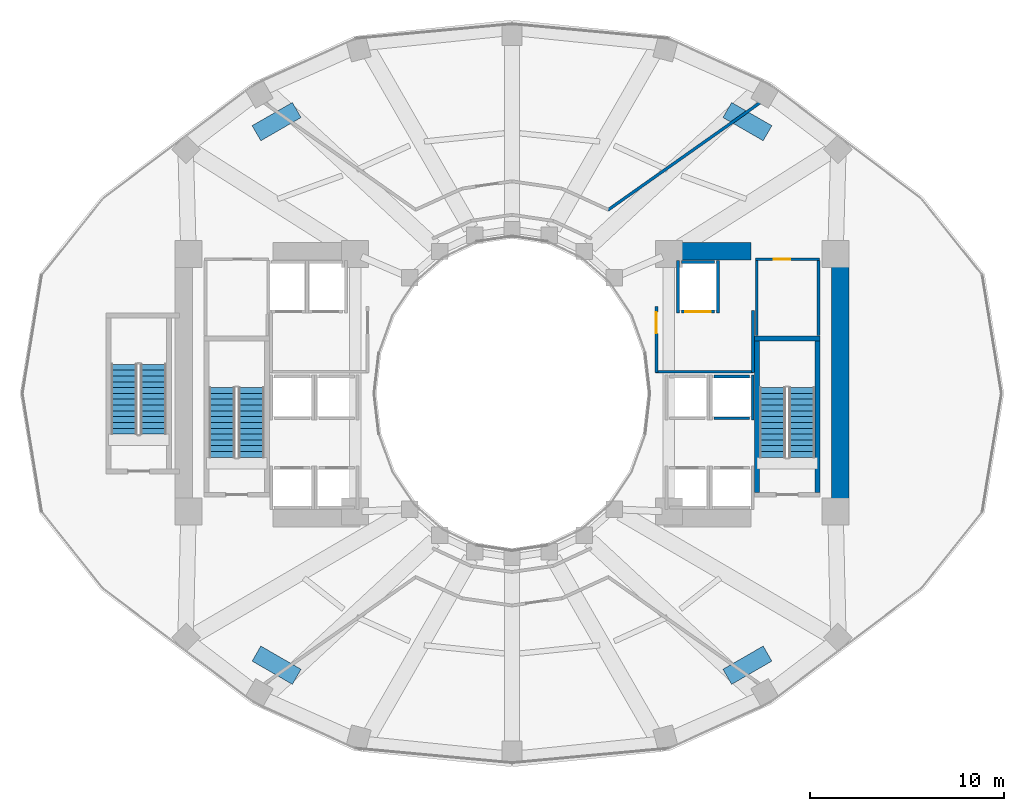
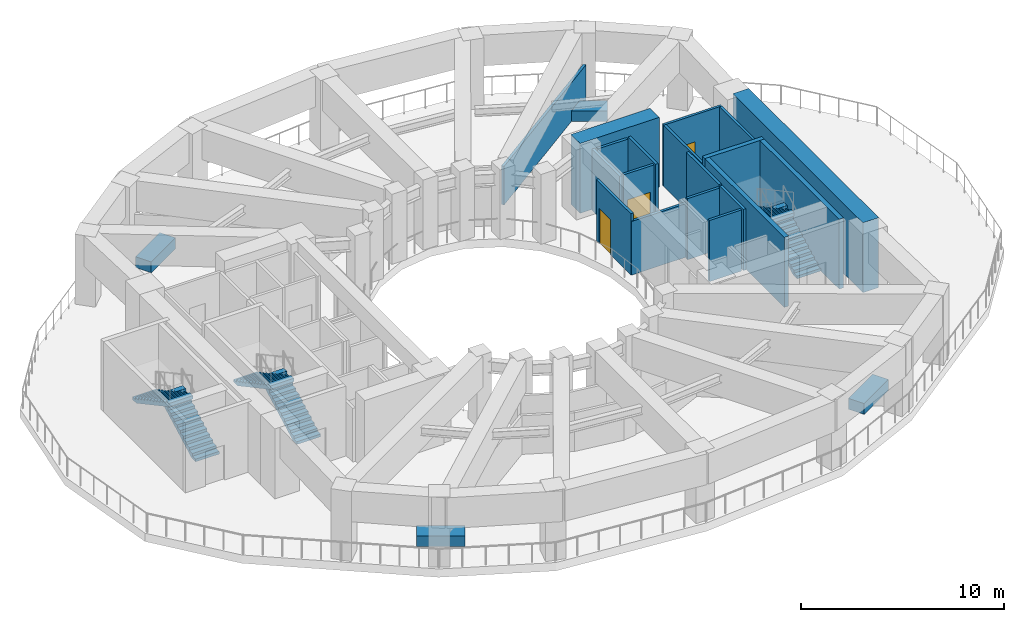
# One storey, part 4 of 10: 19 walls, 6 stair flights, 4 discrete accessories, 3 doors, 3 openings, 3 elements without a shape of their own.
"""IFC4 building model written with IfcOpenShell, lengths in metres."""

from ifc_helpers import new_model, si_unit, direction, frame, frame_2d, origin, origin_2d, place, context, subcontext, project, spatial, polyline, rectangle, outline, extrude, material, layer, layer_set, type_object, element, fill, aggregate, save


model = new_model("IFC4")

# Units and contexts
model_context = context("Model", 3, precision=1e-05, world=origin(), true_north=direction((0.0, 1.0)))
body_context = subcontext(model_context, "Body", "Model", "MODEL_VIEW")
ifc_project = project(units=[si_unit("LENGTHUNIT", "METRE"), si_unit("AREAUNIT", "SQUARE_METRE"), si_unit("VOLUMEUNIT", "CUBIC_METRE"), si_unit("PLANEANGLEUNIT", "RADIAN"), si_unit("MASSUNIT", "GRAM", prefix="KILO")], contexts=[model_context])

# Site, building, storey
site_placement = place(None, origin())
site = spatial("IfcSite", under=ifc_project, at=site_placement, CompositionType="ELEMENT")
building_placement = place(site_placement, origin())
building = spatial("IfcBuilding", under=site, at=building_placement, Name="Solvane Sanctuary Tower", CompositionType="ELEMENT")
storey_placement = place(building_placement, frame((0.0, 0.0, 69.0)))
storey = spatial("IfcBuildingStorey", under=building, at=storey_placement, Name="L20", CompositionType="ELEMENT", Elevation=69.0)

# Walls
ifc_material_1 = material(Name="Concrete C70/85", Category="concrete")
ifc_layer_1 = layer(ifc_material_1, 0.89990234375, Name="Concrete C70/85")
ifc_layer_set_1 = layer_set([ifc_layer_1], Name="Concrete C70/85")
wall_type_1 = type_object("IfcWallType", Name="Wall W-CORE-900", PredefinedType="SHEAR", material=ifc_layer_set_1)
wall_1_placement = place(storey_placement, frame((48.949951171875, 17.050048828125, 0.0), z_axis=(0.0, 0.0, 1.0), x_axis=(0.0, 1.0, 0.0)))
element("IfcWall", 1, at=wall_1_placement, inside=storey, type_object=wall_type_1, Name="L20 Core Shear Wall EC-E", PredefinedType="SHEAR", context=body_context, shape_type="SweptSolid", body=[
    extrude(rectangle(XDim=12.800048828125, YDim=0.89990234375, at=frame_2d((6.39990234375, 0.0))), origin(), (0.0, 0.0, 1.0), 4.199951171875),
])
wall_2_placement = place(storey_placement, frame((39.85009765625, 30.35009765625, 0.0), z_axis=(0.0, 0.0, 1.0), x_axis=(1.0, 0.0, 0.0)))
element("IfcWall", 2, at=wall_2_placement, inside=storey, type_object=wall_type_1, Name="L20 Core Shear Wall EC-N", PredefinedType="SHEAR", context=body_context, shape_type="SweptSolid", body=[
    extrude(rectangle(XDim=4.5, YDim=0.89990234375, at=frame_2d((2.25, 0.0))), origin(), (0.0, 0.0, 1.0), 4.199951171875),
])
ifc_material_2 = material(Name="Acoustic Gypsum Partition Board")
ifc_layer_2 = layer(ifc_material_2, 0.14990234375, Name="Acoustic Gypsum Partition Board")
ifc_layer_set_2 = layer_set([ifc_layer_2], Name="Acoustic Gypsum Partition Board")
wall_type_2 = type_object("IfcWallType", Name="Wall W-CORR-150", PredefinedType="PARTITIONING", material=ifc_layer_set_2)
wall_3_placement = place(storey_placement, frame((39.39990234375, 24.1201171875, 0.0), z_axis=(0.0, 0.0, 1.0), x_axis=(1.0, 0.0, 0.0)))
element("IfcWall", 3, at=wall_3_placement, inside=storey, type_object=wall_type_2, Name="L20 East Firefighting Lobby South Wall", PredefinedType="PARTITIONING", context=body_context, shape_type="SweptSolid", body=[
    extrude(rectangle(XDim=5.080078125, YDim=0.14990234375, at=frame_2d((2.5400390625, 0.0))), origin(), (0.0, 0.0, 1.0), 3.219970703125),
])
wall_4_placement = place(storey_placement, frame((44.449951171875, 24.080078125, 0.0), z_axis=(0.0, 0.0, 1.0), x_axis=(0.0, 1.0, 0.0)))
element("IfcWall", 4, at=wall_4_placement, inside=storey, type_object=wall_type_2, Name="L20 East Firefighting Lobby East Wall", PredefinedType="PARTITIONING", context=body_context, shape_type="SweptSolid", body=[
    extrude(rectangle(XDim=3.199951171875, YDim=0.14990234375, at=frame_2d((1.60009765625, 0.0))), origin(), (0.0, 0.0, 1.0), 3.675048828125),
])

# Wall, opening, door
wall_5_placement = place(storey_placement, frame((39.449951171875, 24.080078125, 0.0), z_axis=(0.0, 0.0, 1.0), x_axis=(0.0, 1.0, 0.0)))
wall_5 = element("IfcWall", 5, at=wall_5_placement, inside=storey, type_object=wall_type_2, Name="L20 East Firefighting Lobby West Wall", PredefinedType="PARTITIONING", context=body_context, shape_type="SweptSolid", body=[
    extrude(rectangle(XDim=3.39990234375, YDim=0.14990234375, at=frame_2d((1.699951171875, 0.0))), origin(), (0.0, 0.0, 1.0), 3.675048828125),
])
opening_1_placement = place(wall_5_placement, frame((2.02001953125, 0.0, 0.0)))
opening_1 = element("IfcOpeningElement", 6, at=opening_1_placement, cuts=wall_5, Name="Opening D-L20-05", PredefinedType="OPENING", context=body_context, shape_type="SweptSolid", body=[
    extrude(rectangle(XDim=1.10009765625, YDim=2.10009765625, at=frame_2d((0.550048828125, 1.050048828125))), frame((0.0, 0.0849609375, 0.0), z_axis=(0.0, -1.0, 0.0), x_axis=(1.0, 0.0, 0.0)), (0.0, 0.0, 1.0), 0.169921875),
])
ifc_material_3 = material(Name="Architectural Stainless Steel 316", Category="steel")
door_type_1 = type_object("IfcDoorType", Name="Door D-FFL", OperationType="NOTDEFINED", PredefinedType="DOOR", material=ifc_material_3)
door_1_placement = place(opening_1_placement, origin())
door_1 = element("IfcDoor", 7, at=door_1_placement, inside=storey, type_object=door_type_1, Name="L20 East Firefighting Lobby Fire Door", OperationType="SINGLE_SWING_RIGHT", OverallHeight=2.10009765625, OverallWidth=1.10009765625, PredefinedType="DOOR", context=body_context, shape_type="SweptSolid", body=[
    extrude(rectangle(XDim=1.10009765625, YDim=2.10009765625, at=frame_2d((0.550048828125, 1.050048828125))), frame((0.0, 0.02490234375, 0.0), z_axis=(0.0, -1.0, 0.0), x_axis=(1.0, 0.0, 0.0)), (0.0, 0.0, 1.0), 0.050048828125),
])
fill(opening_1, door_1)

# Walls
wall_6_placement = place(storey_placement, frame((36.93408203125, 32.4541015625, 0.0), z_axis=(0.0, 0.0, 1.0), x_axis=(0.817064271391, 0.576546595182, 0.0)))
element("IfcWall", 8, at=wall_6_placement, inside=storey, type_object=wall_type_2, Name="L20 Refuge Area Radial Screen 060", PredefinedType="PARTITIONING", context=body_context, shape_type="SweptSolid", body=[
    extrude(rectangle(XDim=9.61376953125, YDim=0.14990234375, at=frame_2d((4.806884765625, 0.0))), origin(), (0.0, 0.0, 1.0), 2.320068359375),
])
ifc_material_4 = material(Name="Concrete C50/60", Category="concrete")
ifc_layer_3 = layer(ifc_material_4, 0.14990234375, Name="Concrete C50/60")
ifc_layer_set_3 = layer_set([ifc_layer_3], Name="Concrete C50/60")
wall_type_3 = type_object("IfcWallType", Name="Wall W-SHAFT-150", PredefinedType="SOLIDWALL", material=ifc_layer_set_3)
for number, where, z_axis, x_axis, name in (
    (9, (42.43994140625, 21.719970703125, 0.0), (0.0, 0.0, 1.0), (1.0, 0.0, 0.0), "L20 PM-2 Lift Shaft Wall F"),
    (10, (42.43994140625, 23.8798828125, 0.0), (0.0, 0.0, 1.0), (1.0, 0.0, 0.0), "L20 PM-2 Lift Shaft Wall B"),
):
    element("IfcWall", number, at=place(storey_placement, frame(where, z_axis=z_axis, x_axis=x_axis)), inside=storey, type_object=wall_type_3, Name=name, PredefinedType="SOLIDWALL", context=body_context, shape_type="SweptSolid", body=[
        extrude(rectangle(XDim=1.820068359375, YDim=0.14990234375, at=frame_2d((0.91015625, 0.0))), origin(), (0.0, 0.0, 1.0), 3.675048828125),
    ])
wall_7_placement = place(storey_placement, frame((44.429931640625, 21.639892578125, 0.0), z_axis=(0.0, 0.0, 1.0), x_axis=(0.0, 1.0, 0.0)))
element("IfcWall", 11, at=wall_7_placement, inside=storey, type_object=wall_type_3, Name="L20 PM-2 Lift Shaft Wall S2", PredefinedType="SOLIDWALL", context=body_context, shape_type="SweptSolid", body=[
    extrude(rectangle(XDim=2.320068359375, YDim=0.14990234375, at=frame_2d((1.16015625, 0.0))), origin(), (0.0, 0.0, 1.0), 3.675048828125),
])

# Wall, opening, door
wall_8_placement = place(storey_placement, frame((40.739990234375, 27.219970703125, 0.0), z_axis=(0.0, 0.0, 1.0), x_axis=(1.0, 0.0, 0.0)))
wall_8 = element("IfcWall", 12, at=wall_8_placement, inside=storey, type_object=wall_type_3, Name="L20 FFL-2 Lift Shaft Wall F", PredefinedType="SOLIDWALL", context=body_context, shape_type="SweptSolid", body=[
    extrude(rectangle(XDim=1.719970703125, YDim=0.14990234375, at=frame_2d((0.85986328125, 0.0))), origin(), (0.0, 0.0, 1.0), 3.675048828125),
])
opening_2_placement = place(wall_8_placement, frame((0.2099609375, 0.0, 0.0)))
opening_2 = element("IfcOpeningElement", 13, at=opening_2_placement, cuts=wall_8, Name="Opening LD-L20-07", PredefinedType="OPENING", context=body_context, shape_type="SweptSolid", body=[
    extrude(rectangle(XDim=1.300048828125, YDim=2.10009765625, at=frame_2d((0.64990234375, 1.050048828125))), frame((0.0, 0.0849609375, 0.0), z_axis=(0.0, -1.0, 0.0), x_axis=(1.0, 0.0, 0.0)), (0.0, 0.0, 1.0), 0.169921875),
])
door_type_2 = type_object("IfcDoorType", Name="Door LD-FFL-1300", OperationType="NOTDEFINED", PredefinedType="DOOR", material=ifc_material_3)
door_2_placement = place(opening_2_placement, origin())
door_2 = element("IfcDoor", 14, at=door_2_placement, inside=storey, type_object=door_type_2, Name="L20 FFL-2 Lift Landing Door", OperationType="DOUBLE_DOOR_SLIDING", OverallHeight=2.10009765625, OverallWidth=1.300048828125, PredefinedType="DOOR", context=body_context, shape_type="SweptSolid", body=[
    extrude(rectangle(XDim=1.300048828125, YDim=2.10009765625, at=frame_2d((0.64990234375, 1.050048828125))), frame((0.0, 0.02490234375, 0.0), z_axis=(0.0, -1.0, 0.0), x_axis=(1.0, 0.0, 0.0)), (0.0, 0.0, 1.0), 0.050048828125),
])
fill(opening_2, door_2)

# Walls
wall_9_placement = place(storey_placement, frame((40.739990234375, 29.780029296875, 0.0), z_axis=(0.0, 0.0, 1.0), x_axis=(1.0, 0.0, 0.0)))
element("IfcWall", 15, at=wall_9_placement, inside=storey, type_object=wall_type_3, Name="L20 FFL-2 Lift Shaft Wall B", PredefinedType="SOLIDWALL", context=body_context, shape_type="SweptSolid", body=[
    extrude(rectangle(XDim=1.719970703125, YDim=0.14990234375, at=frame_2d((0.85986328125, 0.0))), origin(), (0.0, 0.0, 1.0), 3.675048828125),
])
for number, where, z_axis, x_axis, name in (
    (16, (40.570068359375, 27.139892578125, 0.0), (0.0, 0.0, 1.0), (0.0, 1.0, 0.0), "L20 FFL-2 Lift Shaft Wall S1"),
    (17, (42.6298828125, 27.139892578125, 0.0), (0.0, 0.0, 1.0), (0.0, 1.0, 0.0), "L20 FFL-2 Lift Shaft Wall S2"),
):
    element("IfcWall", number, at=place(storey_placement, frame(where, z_axis=z_axis, x_axis=x_axis)), inside=storey, type_object=wall_type_3, Name=name, PredefinedType="SOLIDWALL", context=body_context, shape_type="SweptSolid", body=[
        extrude(rectangle(XDim=2.72021484375, YDim=0.14990234375, at=frame_2d((1.360107421875, 0.0))), origin(), (0.0, 0.0, 1.0), 3.675048828125),
    ])
ifc_layer_4 = layer(ifc_material_4, 0.25, Name="Concrete C50/60")
ifc_layer_set_4 = layer_set([ifc_layer_4], Name="Concrete C50/60")
wall_type_4 = type_object("IfcWallType", Name="Wall W-SHAFT-250", PredefinedType="SOLIDWALL", material=ifc_layer_set_4)
wall_10_placement = place(storey_placement, frame((44.52490234375, 25.830078125, 0.0), z_axis=(0.0, 0.0, 1.0), x_axis=(1.0, 0.0, 0.0)))
element("IfcWall", 18, at=wall_10_placement, inside=storey, type_object=wall_type_4, Name="L20 ST-2 Load-Bearing Shaft Wall N", PredefinedType="SOLIDWALL", context=body_context, shape_type="SweptSolid", body=[
    extrude(rectangle(XDim=3.3701171875, YDim=0.25, at=frame_2d((1.68505859375, 0.0))), origin(), (0.0, 0.0, 1.0), 4.199951171875),
])
for number, where, z_axis, x_axis, name in (
    (19, (44.64990234375, 17.89501953125, 0.0), (0.0, 0.0, 1.0), (0.0, 1.0, 0.0), "L20 ST-2 Load-Bearing Shaft Wall W"),
    (20, (47.77001953125, 17.89501953125, 0.0), (0.0, 0.0, 1.0), (0.0, 1.0, 0.0), "L20 ST-2 Load-Bearing Shaft Wall E"),
):
    element("IfcWall", number, at=place(storey_placement, frame(where, z_axis=z_axis, x_axis=x_axis)), inside=storey, type_object=wall_type_4, Name=name, PredefinedType="SOLIDWALL", context=body_context, shape_type="SweptSolid", body=[
        extrude(rectangle(XDim=7.81005859375, YDim=0.25, at=frame_2d((3.905029296875, 0.0))), origin(), (0.0, 0.0, 1.0), 4.199951171875),
    ])

# Wall, opening, door
ifc_layer_5 = layer(ifc_material_2, 0.139892578125, Name="Acoustic Gypsum Partition Board")
ifc_layer_set_5 = layer_set([ifc_layer_5], Name="Acoustic Gypsum Partition Board")
wall_type_5 = type_object("IfcWallType", Name="Wall W-WET-140", PredefinedType="PLUMBINGWALL", material=ifc_layer_set_5)
wall_11_placement = place(storey_placement, frame((44.580078125, 29.919921875, 0.0), z_axis=(0.0, 0.0, 1.0), x_axis=(1.0, 0.0, 0.0)))
wall_11 = element("IfcWall", 21, at=wall_11_placement, inside=storey, type_object=wall_type_5, Name="L20 Refuge Store Front Wall", PredefinedType="PLUMBINGWALL", context=body_context, shape_type="SweptSolid", body=[
    extrude(rectangle(XDim=3.2998046875, YDim=0.139892578125, at=frame_2d((1.64990234375, 0.0))), origin(), (0.0, 0.0, 1.0), 3.675048828125),
])
opening_3_placement = place(wall_11_placement, frame((0.93408203125, 0.0, 0.0)))
opening_3 = element("IfcOpeningElement", 22, at=opening_3_placement, cuts=wall_11, Name="Opening D-L20-09", PredefinedType="OPENING", context=body_context, shape_type="SweptSolid", body=[
    extrude(rectangle(XDim=0.85009765625, YDim=2.050048828125, at=frame_2d((0.425048828125, 1.02490234375))), frame((0.0, 0.079833984375, 0.0), z_axis=(0.0, -1.0, 0.0), x_axis=(1.0, 0.0, 0.0)), (0.0, 0.0, 1.0), 0.159912109375),
])
door_type_3 = type_object("IfcDoorType", Name="Door D-RISER", OperationType="NOTDEFINED", PredefinedType="DOOR", material=ifc_material_3)
door_3_placement = place(opening_3_placement, origin())
door_3 = element("IfcDoor", 23, at=door_3_placement, inside=storey, type_object=door_type_3, Name="L20 Refuge First Aid Door", OperationType="SINGLE_SWING_RIGHT", OverallHeight=2.050048828125, OverallWidth=0.85009765625, PredefinedType="DOOR", context=body_context, shape_type="SweptSolid", body=[
    extrude(rectangle(XDim=0.85009765625, YDim=2.050048828125, at=frame_2d((0.425048828125, 1.02490234375))), frame((0.0, 0.02490234375, 0.0), z_axis=(0.0, -1.0, 0.0), x_axis=(1.0, 0.0, 0.0)), (0.0, 0.0, 1.0), 0.050048828125),
])
fill(opening_3, door_3)

# Walls
for number, where, z_axis, x_axis, name in (
    (24, (44.639892578125, 25.97998046875, 0.0), (0.0, 0.0, 1.0), (0.0, 1.0, 0.0), "L20 Refuge Store West Wall"),
    (25, (47.820068359375, 25.97998046875, 0.0), (0.0, 0.0, 1.0), (0.0, 1.0, 0.0), "L20 Refuge Store East Wall"),
):
    element("IfcWall", number, at=place(storey_placement, frame(where, z_axis=z_axis, x_axis=x_axis)), inside=storey, type_object=wall_type_5, Name=name, PredefinedType="PLUMBINGWALL", context=body_context, shape_type="SweptSolid", body=[
        extrude(rectangle(XDim=3.880126953125, YDim=0.139892578125, at=frame_2d((1.93994140625, 0.0))), origin(), (0.0, 0.0, 1.0), 3.675048828125),
    ])

# Stair, stair flights
ifc_material_5 = material(Name="Concrete C45/55", Category="concrete")
stair_type = type_object("IfcStairType", Name="Stair ST-TOW", PredefinedType="HALF_TURN_STAIR", material=ifc_material_5)
stair_1_placement = place(storey_placement, origin())
stair_1 = element("IfcStair", 26, at=stair_1_placement, inside=storey, type_object=stair_type, Name="L20 Exit Stair ST-1 West Core", PredefinedType="HALF_TURN_STAIR")
stair_flight_type = type_object("IfcStairFlightType", Name="StairFlight SF-TOW", PredefinedType="STRAIGHT", material=ifc_material_5)
stair_flight_1_placement = place(storey_placement, frame((18.544921875, 19.699951171875, 0.0), z_axis=(0.0, 0.0, 1.0), x_axis=(0.0, 1.0, 0.0)))
stair_flight_1 = element("IfcStairFlight", 27, at=stair_flight_1_placement, type_object=stair_flight_type, Name="ST-1 flight 1", NumberOfRisers=13, NumberOfTreads=12, PredefinedType="STRAIGHT", RiserHeight=0.161538462, TreadLength=0.3, context=body_context, shape_type="SweptSolid", body=[
    extrude(outline(polyline([(0.0, 0.0), (0.0, 0.16162109375), (0.300048828125, 0.16162109375), (0.300048828125, 0.322998046875), (0.60009765625, 0.322998046875), (0.60009765625, 0.484619140625), (0.89990234375, 0.484619140625), (0.89990234375, 0.646240234375), (1.199951171875, 0.646240234375), (1.199951171875, 0.8076171875), (1.5, 0.8076171875), (1.5, 0.96923828125), (1.800048828125, 0.96923828125), (1.800048828125, 1.130859375), (2.10009765625, 1.130859375), (2.10009765625, 1.292236328125), (2.39990234375, 1.292236328125), (2.39990234375, 1.453857421875), (2.699951171875, 1.453857421875), (2.699951171875, 1.615478515625), (3.0, 1.615478515625), (3.0, 1.77685546875), (3.300048828125, 1.77685546875), (3.300048828125, 1.9384765625), (3.60009765625, 1.9384765625), (3.60009765625, 2.10009765625), (3.60009765625, 1.734130859375), (0.379638671875, 0.0), (0.0, 0.0)])), frame((0.0, 0.675048828125, 0.0), z_axis=(0.0, -1.0, 0.0), x_axis=(1.0, 0.0, 0.0)), (0.0, 0.0, 1.0), 1.35009765625),
])
stair_flight_2_placement = place(storey_placement, frame((17.034912109375, 23.300048828125, 2.10009765625), z_axis=(0.0, 0.0, 1.0), x_axis=(0.0, -1.0, 0.0)))
stair_flight_2 = element("IfcStairFlight", 28, at=stair_flight_2_placement, type_object=stair_flight_type, Name="ST-1 flight 2", NumberOfRisers=13, NumberOfTreads=12, PredefinedType="STRAIGHT", RiserHeight=0.161538462, TreadLength=0.3, context=body_context, shape_type="SweptSolid", body=[
    extrude(outline(polyline([(0.0, 0.0), (0.0, 0.16162109375), (0.300048828125, 0.16162109375), (0.300048828125, 0.322998046875), (0.60009765625, 0.322998046875), (0.60009765625, 0.484619140625), (0.89990234375, 0.484619140625), (0.89990234375, 0.646240234375), (1.199951171875, 0.646240234375), (1.199951171875, 0.8076171875), (1.5, 0.8076171875), (1.5, 0.96923828125), (1.800048828125, 0.96923828125), (1.800048828125, 1.130859375), (2.10009765625, 1.130859375), (2.10009765625, 1.292236328125), (2.39990234375, 1.292236328125), (2.39990234375, 1.453857421875), (2.699951171875, 1.453857421875), (2.699951171875, 1.615478515625), (3.0, 1.615478515625), (3.0, 1.77685546875), (3.300048828125, 1.77685546875), (3.300048828125, 1.9384765625), (3.60009765625, 1.9384765625), (3.60009765625, 2.10009765625), (3.60009765625, 1.734130859375), (0.379638671875, 0.0), (0.0, 0.0)])), frame((0.0, 0.675048828125, 0.0), z_axis=(0.0, -1.0, 0.0), x_axis=(1.0, 0.0, 0.0)), (0.0, 0.0, 1.0), 1.35009765625),
])
aggregate(stair_1, [stair_flight_1, stair_flight_2])

stair_2_placement = place(storey_placement, origin())
stair_2 = element("IfcStair", 29, at=stair_2_placement, inside=storey, type_object=stair_type, Name="L20 Exit Stair ST-2 East Core", PredefinedType="HALF_TURN_STAIR")
stair_flight_3_placement = place(storey_placement, frame((46.965087890625, 19.699951171875, 0.0), z_axis=(0.0, 0.0, 1.0), x_axis=(0.0, 1.0, 0.0)))
stair_flight_3 = element("IfcStairFlight", 30, at=stair_flight_3_placement, type_object=stair_flight_type, Name="ST-2 flight 1", NumberOfRisers=13, NumberOfTreads=12, PredefinedType="STRAIGHT", RiserHeight=0.161538462, TreadLength=0.3, context=body_context, shape_type="SweptSolid", body=[
    extrude(outline(polyline([(0.0, 0.0), (0.0, 0.16162109375), (0.300048828125, 0.16162109375), (0.300048828125, 0.322998046875), (0.60009765625, 0.322998046875), (0.60009765625, 0.484619140625), (0.89990234375, 0.484619140625), (0.89990234375, 0.646240234375), (1.199951171875, 0.646240234375), (1.199951171875, 0.8076171875), (1.5, 0.8076171875), (1.5, 0.96923828125), (1.800048828125, 0.96923828125), (1.800048828125, 1.130859375), (2.10009765625, 1.130859375), (2.10009765625, 1.292236328125), (2.39990234375, 1.292236328125), (2.39990234375, 1.453857421875), (2.699951171875, 1.453857421875), (2.699951171875, 1.615478515625), (3.0, 1.615478515625), (3.0, 1.77685546875), (3.300048828125, 1.77685546875), (3.300048828125, 1.9384765625), (3.60009765625, 1.9384765625), (3.60009765625, 2.10009765625), (3.60009765625, 1.734130859375), (0.379638671875, 0.0), (0.0, 0.0)])), frame((0.0, 0.675048828125, 0.0), z_axis=(0.0, -1.0, 0.0), x_axis=(1.0, 0.0, 0.0)), (0.0, 0.0, 1.0), 1.35009765625),
])
stair_flight_4_placement = place(storey_placement, frame((45.455078125, 23.300048828125, 2.10009765625), z_axis=(0.0, 0.0, 1.0), x_axis=(0.0, -1.0, 0.0)))
stair_flight_4 = element("IfcStairFlight", 31, at=stair_flight_4_placement, type_object=stair_flight_type, Name="ST-2 flight 2", NumberOfRisers=13, NumberOfTreads=12, PredefinedType="STRAIGHT", RiserHeight=0.161538462, TreadLength=0.3, context=body_context, shape_type="SweptSolid", body=[
    extrude(outline(polyline([(0.0, 0.0), (0.0, 0.16162109375), (0.300048828125, 0.16162109375), (0.300048828125, 0.322998046875), (0.60009765625, 0.322998046875), (0.60009765625, 0.484619140625), (0.89990234375, 0.484619140625), (0.89990234375, 0.646240234375), (1.199951171875, 0.646240234375), (1.199951171875, 0.8076171875), (1.5, 0.8076171875), (1.5, 0.96923828125), (1.800048828125, 0.96923828125), (1.800048828125, 1.130859375), (2.10009765625, 1.130859375), (2.10009765625, 1.292236328125), (2.39990234375, 1.292236328125), (2.39990234375, 1.453857421875), (2.699951171875, 1.453857421875), (2.699951171875, 1.615478515625), (3.0, 1.615478515625), (3.0, 1.77685546875), (3.300048828125, 1.77685546875), (3.300048828125, 1.9384765625), (3.60009765625, 1.9384765625), (3.60009765625, 2.10009765625), (3.60009765625, 1.734130859375), (0.379638671875, 0.0), (0.0, 0.0)])), frame((0.0, 0.675048828125, 0.0), z_axis=(0.0, -1.0, 0.0), x_axis=(1.0, 0.0, 0.0)), (0.0, 0.0, 1.0), 1.35009765625),
])
aggregate(stair_2, [stair_flight_3, stair_flight_4])

stair_3_placement = place(storey_placement, origin())
stair_3 = element("IfcStair", 32, at=stair_3_placement, inside=storey, type_object=stair_type, Name="L20 Exit Stair ST-3 Pilgrim Tower Stair", PredefinedType="HALF_TURN_STAIR")
stair_flight_5_placement = place(storey_placement, frame((13.485107421875, 20.89990234375, 0.0), z_axis=(0.0, 0.0, 1.0), x_axis=(0.0, 1.0, 0.0)))
stair_flight_5 = element("IfcStairFlight", 33, at=stair_flight_5_placement, type_object=stair_flight_type, Name="ST-3 flight 1", NumberOfRisers=13, NumberOfTreads=12, PredefinedType="STRAIGHT", RiserHeight=0.161538462, TreadLength=0.3, context=body_context, shape_type="SweptSolid", body=[
    extrude(outline(polyline([(0.0, 0.0), (0.0, 0.16162109375), (0.300048828125, 0.16162109375), (0.300048828125, 0.322998046875), (0.60009765625, 0.322998046875), (0.60009765625, 0.484619140625), (0.89990234375, 0.484619140625), (0.89990234375, 0.646240234375), (1.199951171875, 0.646240234375), (1.199951171875, 0.8076171875), (1.5, 0.8076171875), (1.5, 0.96923828125), (1.800048828125, 0.96923828125), (1.800048828125, 1.130859375), (2.10009765625, 1.130859375), (2.10009765625, 1.292236328125), (2.39990234375, 1.292236328125), (2.39990234375, 1.453857421875), (2.699951171875, 1.453857421875), (2.699951171875, 1.615478515625), (3.0, 1.615478515625), (3.0, 1.77685546875), (3.300048828125, 1.77685546875), (3.300048828125, 1.9384765625), (3.60009765625, 1.9384765625), (3.60009765625, 2.10009765625), (3.60009765625, 1.734130859375), (0.379638671875, 0.0), (0.0, 0.0)])), frame((0.0, 0.675048828125, 0.0), z_axis=(0.0, -1.0, 0.0), x_axis=(1.0, 0.0, 0.0)), (0.0, 0.0, 1.0), 1.35009765625),
])
stair_flight_6_placement = place(storey_placement, frame((11.97509765625, 24.5, 2.10009765625), z_axis=(0.0, 0.0, 1.0), x_axis=(0.0, -1.0, 0.0)))
stair_flight_6 = element("IfcStairFlight", 34, at=stair_flight_6_placement, type_object=stair_flight_type, Name="ST-3 flight 2", NumberOfRisers=13, NumberOfTreads=12, PredefinedType="STRAIGHT", RiserHeight=0.161538462, TreadLength=0.3, context=body_context, shape_type="SweptSolid", body=[
    extrude(outline(polyline([(0.0, 0.0), (0.0, 0.16162109375), (0.300048828125, 0.16162109375), (0.300048828125, 0.322998046875), (0.60009765625, 0.322998046875), (0.60009765625, 0.484619140625), (0.89990234375, 0.484619140625), (0.89990234375, 0.646240234375), (1.199951171875, 0.646240234375), (1.199951171875, 0.8076171875), (1.5, 0.8076171875), (1.5, 0.96923828125), (1.800048828125, 0.96923828125), (1.800048828125, 1.130859375), (2.10009765625, 1.130859375), (2.10009765625, 1.292236328125), (2.39990234375, 1.292236328125), (2.39990234375, 1.453857421875), (2.699951171875, 1.453857421875), (2.699951171875, 1.615478515625), (3.0, 1.615478515625), (3.0, 1.77685546875), (3.300048828125, 1.77685546875), (3.300048828125, 1.9384765625), (3.60009765625, 1.9384765625), (3.60009765625, 2.10009765625), (3.60009765625, 1.734130859375), (0.379638671875, 0.0), (0.0, 0.0)])), frame((0.0, 0.675048828125, 0.0), z_axis=(0.0, -1.0, 0.0), x_axis=(1.0, 0.0, 0.0)), (0.0, 0.0, 1.0), 1.35009765625),
])
aggregate(stair_3, [stair_flight_5, stair_flight_6])

# Discrete accessories
ifc_material_6 = material(Name="Precast concrete C40/50", Category="concrete")
ifc_layer_6 = layer(ifc_material_6, 0.64990234375, Name="Precast concrete C40/50")
ifc_layer_set_6 = layer_set([ifc_layer_6], Name="Precast concrete C40/50")
discrete_accessory_type = type_object("IfcDiscreteAccessoryType", Name="Accessory PLN-TERRACE", PredefinedType="USERDEFINED", material=ifc_layer_set_6)
for number, where, z_axis, x_axis, name in (
    (35, (44.15380859375, 37.031005859375, 0.0), (0.0, 0.0, 1.0), (-0.866025403784, 0.5, 0.0), "L20 Tropical Refuge Sky Planter 1"),
    (36, (19.84619140625, 37.031005859375, 0.0), (0.0, 0.0, 1.0), (-0.866025403784, -0.5, 0.0), "L20 Tropical Refuge Sky Planter 2"),
    (37, (19.84619140625, 8.968994140625, 0.0), (0.0, 0.0, 1.0), (0.866025403784, -0.5, 0.0), "L20 Tropical Refuge Sky Planter 3"),
    (38, (44.15380859375, 8.968994140625, 0.0), (0.0, 0.0, 1.0), (0.866025403784, 0.5, 0.0), "L20 Tropical Refuge Sky Planter 4"),
):
    element("IfcDiscreteAccessory", number, at=place(storey_placement, frame(where, z_axis=z_axis, x_axis=x_axis)), inside=storey, type_object=discrete_accessory_type, Name=name, ObjectType="PLANTER", PredefinedType="USERDEFINED", context=body_context, shape_type="SweptSolid", body=[
        extrude(rectangle(XDim=2.39990234375, YDim=0.89990234375, at=origin_2d()), origin(), (0.0, 0.0, 1.0), 0.64990234375),
    ])

save(model, "model.ifc")
